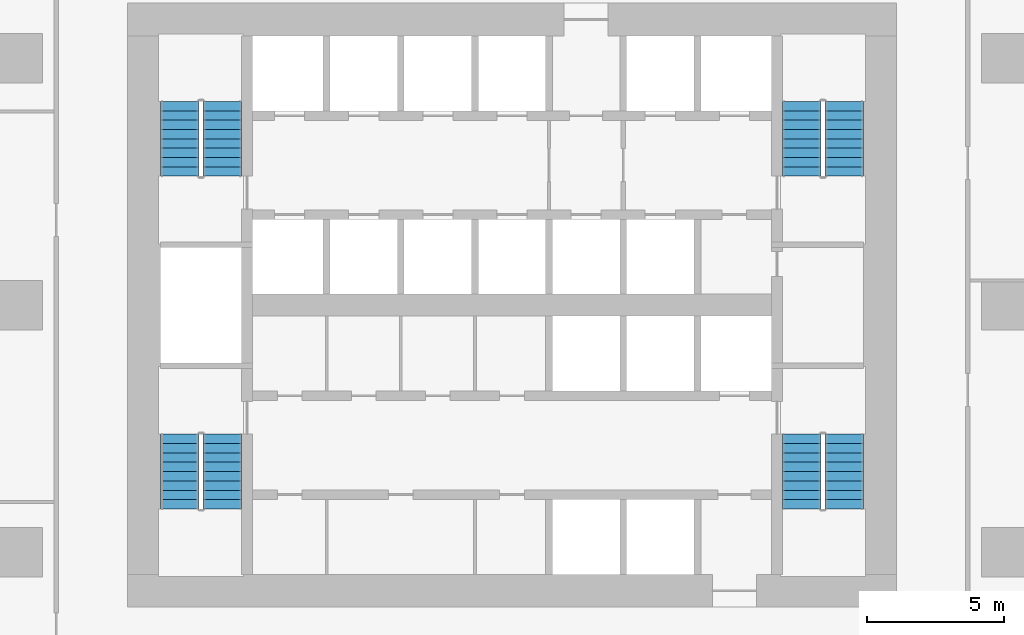
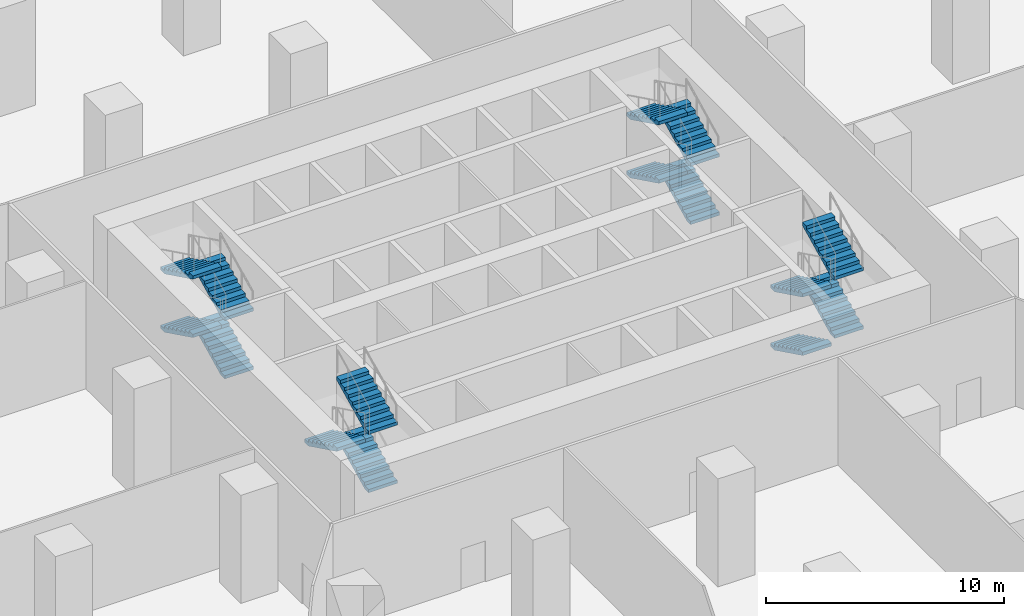
# One storey, part 13 of 15: 15 stair flights, 4 elements without a shape of their own.
"""IFC4 building model written with IfcOpenShell, lengths in metres."""

from ifc_helpers import new_model, si_unit, direction, frame, origin, place, context, subcontext, project, spatial, polyline, outline, extrude, material, layer, layer_set, type_object, element, aggregate, save


model = new_model("IFC4")

# Units and contexts
model_context = context("Model", 3, precision=1e-05, world=origin(), true_north=direction((0.0, 1.0)))
body_context = subcontext(model_context, "Body", "Model", "MODEL_VIEW")
ifc_project = project(units=[si_unit("LENGTHUNIT", "METRE"), si_unit("AREAUNIT", "SQUARE_METRE"), si_unit("VOLUMEUNIT", "CUBIC_METRE"), si_unit("PLANEANGLEUNIT", "RADIAN"), si_unit("MASSUNIT", "GRAM", prefix="KILO")], contexts=[model_context])

# Site, building, storey
site_placement = place(None, origin())
site = spatial("IfcSite", under=ifc_project, at=site_placement, CompositionType="ELEMENT")
building_placement = place(site_placement, origin())
building = spatial("IfcBuilding", under=site, at=building_placement, Name="Dongbaek Canopy Tower", CompositionType="ELEMENT")
storey_placement = place(building_placement, frame((0.0, 0.0, 27.0)))
storey = spatial("IfcBuildingStorey", under=building, at=storey_placement, Name="L03", CompositionType="ELEMENT", Elevation=27.0)

# Stair, stair flights
ifc_material_1 = material(Name="Concrete C40/50", Category="concrete")
stair_type = type_object("IfcStairType", Name="Core exit stair", PredefinedType="HALF_TURN_STAIR", material=ifc_material_1)
stair_1_placement = place(storey_placement, origin())
stair_1 = element("IfcStair", 1, at=stair_1_placement, inside=storey, type_object=stair_type, Name="L03 exit stair A", PredefinedType="HALF_TURN_STAIR")
ifc_material_2 = material(Name="Concrete C40/50", Category="concrete")
ifc_layer = layer(ifc_material_2, 0.14990234375)
ifc_layer_set = layer_set([ifc_layer], Name="Core stair flight 150 waist")
stair_flight_type = type_object("IfcStairFlightType", Name="Core stair flight 150 waist", PredefinedType="STRAIGHT", material=ifc_layer_set)
stair_flight_1_placement = place(storey_placement, frame((12.10009765625, 4.699951171875, 0.0), z_axis=(0.0, 0.0, 1.0), x_axis=(0.0, 1.0, 0.0)))
stair_flight_1 = element("IfcStairFlight", 2, at=stair_flight_1_placement, type_object=stair_flight_type, Name="ST-A flight 1", NumberOfRisers=9, NumberOfTreads=8, PredefinedType="STRAIGHT", RiserHeight=0.166666667, TreadLength=0.34, context=body_context, shape_type="SweptSolid", body=[
    extrude(outline(polyline([(0.0, 0.0), (0.0, 0.166748046875), (0.340087890625, 0.166748046875), (0.340087890625, 0.333251953125), (0.679931640625, 0.333251953125), (0.679931640625, 0.5), (1.02001953125, 0.5), (1.02001953125, 0.666748046875), (1.360107421875, 0.666748046875), (1.360107421875, 0.833251953125), (1.699951171875, 0.833251953125), (1.699951171875, 1.0), (2.0400390625, 1.0), (2.0400390625, 1.166748046875), (2.3798828125, 1.166748046875), (2.3798828125, 1.333251953125), (2.719970703125, 1.333251953125), (2.719970703125, 1.5), (2.719970703125, 1.16650390625), (0.340576171875, 0.0), (0.0, 0.0)])), frame((0.0, 0.699951171875, 0.0), z_axis=(0.0, -1.0, 0.0), x_axis=(1.0, 0.0, 0.0)), (0.0, 0.0, 1.0), 1.39990234375),
])
stair_flight_2_placement = place(storey_placement, frame((10.550048828125, 7.419921875, 1.5), z_axis=(0.0, 0.0, 1.0), x_axis=(0.0, -1.0, 0.0)))
stair_flight_2 = element("IfcStairFlight", 3, at=stair_flight_2_placement, type_object=stair_flight_type, Name="ST-A flight 2", NumberOfRisers=9, NumberOfTreads=8, PredefinedType="STRAIGHT", RiserHeight=0.166666667, TreadLength=0.34, context=body_context, shape_type="SweptSolid", body=[
    extrude(outline(polyline([(0.0, 0.0), (0.0, 0.166748046875), (0.340087890625, 0.166748046875), (0.340087890625, 0.333251953125), (0.679931640625, 0.333251953125), (0.679931640625, 0.5), (1.02001953125, 0.5), (1.02001953125, 0.666748046875), (1.360107421875, 0.666748046875), (1.360107421875, 0.833251953125), (1.699951171875, 0.833251953125), (1.699951171875, 1.0), (2.0400390625, 1.0), (2.0400390625, 1.166748046875), (2.3798828125, 1.166748046875), (2.3798828125, 1.333251953125), (2.719970703125, 1.333251953125), (2.719970703125, 1.5), (2.719970703125, 1.16650390625), (0.340576171875, 0.0), (0.0, 0.0)])), frame((0.0, 0.699951171875, 0.0), z_axis=(0.0, -1.0, 0.0), x_axis=(1.0, 0.0, 0.0)), (0.0, 0.0, 1.0), 1.39990234375),
])
stair_flight_3_placement = place(storey_placement, frame((12.10009765625, 4.699951171875, 3.0), z_axis=(0.0, 0.0, 1.0), x_axis=(0.0, 1.0, 0.0)))
stair_flight_3 = element("IfcStairFlight", 4, at=stair_flight_3_placement, type_object=stair_flight_type, Name="ST-A flight 3", NumberOfRisers=9, NumberOfTreads=8, PredefinedType="STRAIGHT", RiserHeight=0.166666667, TreadLength=0.34, context=body_context, shape_type="SweptSolid", body=[
    extrude(outline(polyline([(0.0, 0.0), (0.0, 0.166748046875), (0.340087890625, 0.166748046875), (0.340087890625, 0.333251953125), (0.679931640625, 0.333251953125), (0.679931640625, 0.5), (1.02001953125, 0.5), (1.02001953125, 0.666748046875), (1.360107421875, 0.666748046875), (1.360107421875, 0.833251953125), (1.699951171875, 0.833251953125), (1.699951171875, 1.0), (2.0400390625, 1.0), (2.0400390625, 1.166748046875), (2.3798828125, 1.166748046875), (2.3798828125, 1.333251953125), (2.719970703125, 1.333251953125), (2.719970703125, 1.5), (2.719970703125, 1.16650390625), (0.340576171875, 0.0), (0.0, 0.0)])), frame((0.0, 0.699951171875, 0.0), z_axis=(0.0, -1.0, 0.0), x_axis=(1.0, 0.0, 0.0)), (0.0, 0.0, 1.0), 1.39990234375),
])
stair_flight_4_placement = place(storey_placement, frame((10.550048828125, 7.419921875, 4.5), z_axis=(0.0, 0.0, 1.0), x_axis=(0.0, -1.0, 0.0)))
stair_flight_4 = element("IfcStairFlight", 5, at=stair_flight_4_placement, type_object=stair_flight_type, Name="ST-A flight 4", NumberOfRisers=9, NumberOfTreads=8, PredefinedType="STRAIGHT", RiserHeight=0.166666667, TreadLength=0.34, context=body_context, shape_type="SweptSolid", body=[
    extrude(outline(polyline([(0.0, 0.0), (0.0, 0.166748046875), (0.340087890625, 0.166748046875), (0.340087890625, 0.333251953125), (0.679931640625, 0.333251953125), (0.679931640625, 0.5), (1.02001953125, 0.5), (1.02001953125, 0.666748046875), (1.360107421875, 0.666748046875), (1.360107421875, 0.833251953125), (1.699951171875, 0.833251953125), (1.699951171875, 1.0), (2.0400390625, 1.0), (2.0400390625, 1.166748046875), (2.3798828125, 1.166748046875), (2.3798828125, 1.333251953125), (2.719970703125, 1.333251953125), (2.719970703125, 1.5), (2.719970703125, 1.16650390625), (0.340576171875, 0.0), (0.0, 0.0)])), frame((0.0, 0.699951171875, 0.0), z_axis=(0.0, -1.0, 0.0), x_axis=(1.0, 0.0, 0.0)), (0.0, 0.0, 1.0), 1.39990234375),
])
aggregate(stair_1, [stair_flight_1, stair_flight_2, stair_flight_3, stair_flight_4])

stair_2_placement = place(storey_placement, origin())
stair_2 = element("IfcStair", 6, at=stair_2_placement, inside=storey, type_object=stair_type, Name="L03 exit stair C", PredefinedType="HALF_TURN_STAIR")
stair_flight_5_placement = place(storey_placement, frame((-10.550048828125, 4.699951171875, 0.0), z_axis=(0.0, 0.0, 1.0), x_axis=(0.0, 1.0, 0.0)))
stair_flight_5 = element("IfcStairFlight", 7, at=stair_flight_5_placement, type_object=stair_flight_type, Name="ST-C flight 1", NumberOfRisers=9, NumberOfTreads=8, PredefinedType="STRAIGHT", RiserHeight=0.166666667, TreadLength=0.34, context=body_context, shape_type="SweptSolid", body=[
    extrude(outline(polyline([(0.0, 0.0), (0.0, 0.166748046875), (0.340087890625, 0.166748046875), (0.340087890625, 0.333251953125), (0.679931640625, 0.333251953125), (0.679931640625, 0.5), (1.02001953125, 0.5), (1.02001953125, 0.666748046875), (1.360107421875, 0.666748046875), (1.360107421875, 0.833251953125), (1.699951171875, 0.833251953125), (1.699951171875, 1.0), (2.0400390625, 1.0), (2.0400390625, 1.166748046875), (2.3798828125, 1.166748046875), (2.3798828125, 1.333251953125), (2.719970703125, 1.333251953125), (2.719970703125, 1.5), (2.719970703125, 1.16650390625), (0.340576171875, 0.0), (0.0, 0.0)])), frame((0.0, 0.699951171875, 0.0), z_axis=(0.0, -1.0, 0.0), x_axis=(1.0, 0.0, 0.0)), (0.0, 0.0, 1.0), 1.39990234375),
])
stair_flight_6_placement = place(storey_placement, frame((-12.10009765625, 7.419921875, 1.5), z_axis=(0.0, 0.0, 1.0), x_axis=(0.0, -1.0, 0.0)))
stair_flight_6 = element("IfcStairFlight", 8, at=stair_flight_6_placement, type_object=stair_flight_type, Name="ST-C flight 2", NumberOfRisers=9, NumberOfTreads=8, PredefinedType="STRAIGHT", RiserHeight=0.166666667, TreadLength=0.34, context=body_context, shape_type="SweptSolid", body=[
    extrude(outline(polyline([(0.0, 0.0), (0.0, 0.166748046875), (0.340087890625, 0.166748046875), (0.340087890625, 0.333251953125), (0.679931640625, 0.333251953125), (0.679931640625, 0.5), (1.02001953125, 0.5), (1.02001953125, 0.666748046875), (1.360107421875, 0.666748046875), (1.360107421875, 0.833251953125), (1.699951171875, 0.833251953125), (1.699951171875, 1.0), (2.0400390625, 1.0), (2.0400390625, 1.166748046875), (2.3798828125, 1.166748046875), (2.3798828125, 1.333251953125), (2.719970703125, 1.333251953125), (2.719970703125, 1.5), (2.719970703125, 1.16650390625), (0.340576171875, 0.0), (0.0, 0.0)])), frame((0.0, 0.699951171875, 0.0), z_axis=(0.0, -1.0, 0.0), x_axis=(1.0, 0.0, 0.0)), (0.0, 0.0, 1.0), 1.39990234375),
])
stair_flight_7_placement = place(storey_placement, frame((-10.550048828125, 4.699951171875, 3.0), z_axis=(0.0, 0.0, 1.0), x_axis=(0.0, 1.0, 0.0)))
stair_flight_7 = element("IfcStairFlight", 9, at=stair_flight_7_placement, type_object=stair_flight_type, Name="ST-C flight 3", NumberOfRisers=9, NumberOfTreads=8, PredefinedType="STRAIGHT", RiserHeight=0.166666667, TreadLength=0.34, context=body_context, shape_type="SweptSolid", body=[
    extrude(outline(polyline([(0.0, 0.0), (0.0, 0.166748046875), (0.340087890625, 0.166748046875), (0.340087890625, 0.333251953125), (0.679931640625, 0.333251953125), (0.679931640625, 0.5), (1.02001953125, 0.5), (1.02001953125, 0.666748046875), (1.360107421875, 0.666748046875), (1.360107421875, 0.833251953125), (1.699951171875, 0.833251953125), (1.699951171875, 1.0), (2.0400390625, 1.0), (2.0400390625, 1.166748046875), (2.3798828125, 1.166748046875), (2.3798828125, 1.333251953125), (2.719970703125, 1.333251953125), (2.719970703125, 1.5), (2.719970703125, 1.16650390625), (0.340576171875, 0.0), (0.0, 0.0)])), frame((0.0, 0.699951171875, 0.0), z_axis=(0.0, -1.0, 0.0), x_axis=(1.0, 0.0, 0.0)), (0.0, 0.0, 1.0), 1.39990234375),
])
stair_flight_8_placement = place(storey_placement, frame((-12.10009765625, 7.419921875, 4.5), z_axis=(0.0, 0.0, 1.0), x_axis=(0.0, -1.0, 0.0)))
stair_flight_8 = element("IfcStairFlight", 10, at=stair_flight_8_placement, type_object=stair_flight_type, Name="ST-C flight 4", NumberOfRisers=9, NumberOfTreads=8, PredefinedType="STRAIGHT", RiserHeight=0.166666667, TreadLength=0.34, context=body_context, shape_type="SweptSolid", body=[
    extrude(outline(polyline([(0.0, 0.0), (0.0, 0.166748046875), (0.340087890625, 0.166748046875), (0.340087890625, 0.333251953125), (0.679931640625, 0.333251953125), (0.679931640625, 0.5), (1.02001953125, 0.5), (1.02001953125, 0.666748046875), (1.360107421875, 0.666748046875), (1.360107421875, 0.833251953125), (1.699951171875, 0.833251953125), (1.699951171875, 1.0), (2.0400390625, 1.0), (2.0400390625, 1.166748046875), (2.3798828125, 1.166748046875), (2.3798828125, 1.333251953125), (2.719970703125, 1.333251953125), (2.719970703125, 1.5), (2.719970703125, 1.16650390625), (0.340576171875, 0.0), (0.0, 0.0)])), frame((0.0, 0.699951171875, 0.0), z_axis=(0.0, -1.0, 0.0), x_axis=(1.0, 0.0, 0.0)), (0.0, 0.0, 1.0), 1.39990234375),
])
aggregate(stair_2, [stair_flight_5, stair_flight_6, stair_flight_7, stair_flight_8])

stair_3_placement = place(storey_placement, origin())
stair_3 = element("IfcStair", 11, at=stair_3_placement, inside=storey, type_object=stair_type, Name="L03 exit stair B", PredefinedType="HALF_TURN_STAIR")
stair_flight_9_placement = place(storey_placement, frame((10.550048828125, -4.699951171875, 0.0), z_axis=(0.0, 0.0, 1.0), x_axis=(0.0, -1.0, 0.0)))
stair_flight_9 = element("IfcStairFlight", 12, at=stair_flight_9_placement, type_object=stair_flight_type, Name="ST-B flight 1", NumberOfRisers=9, NumberOfTreads=8, PredefinedType="STRAIGHT", RiserHeight=0.166666667, TreadLength=0.34, context=body_context, shape_type="SweptSolid", body=[
    extrude(outline(polyline([(0.0, 0.0), (0.0, 0.166748046875), (0.340087890625, 0.166748046875), (0.340087890625, 0.333251953125), (0.679931640625, 0.333251953125), (0.679931640625, 0.5), (1.02001953125, 0.5), (1.02001953125, 0.666748046875), (1.360107421875, 0.666748046875), (1.360107421875, 0.833251953125), (1.699951171875, 0.833251953125), (1.699951171875, 1.0), (2.0400390625, 1.0), (2.0400390625, 1.166748046875), (2.3798828125, 1.166748046875), (2.3798828125, 1.333251953125), (2.719970703125, 1.333251953125), (2.719970703125, 1.5), (2.719970703125, 1.16650390625), (0.340576171875, 0.0), (0.0, 0.0)])), frame((0.0, 0.699951171875, 0.0), z_axis=(0.0, -1.0, 0.0), x_axis=(1.0, 0.0, 0.0)), (0.0, 0.0, 1.0), 1.39990234375),
])
stair_flight_10_placement = place(storey_placement, frame((12.10009765625, -7.419921875, 1.5), z_axis=(0.0, 0.0, 1.0), x_axis=(0.0, 1.0, 0.0)))
stair_flight_10 = element("IfcStairFlight", 13, at=stair_flight_10_placement, type_object=stair_flight_type, Name="ST-B flight 2", NumberOfRisers=9, NumberOfTreads=8, PredefinedType="STRAIGHT", RiserHeight=0.166666667, TreadLength=0.34, context=body_context, shape_type="SweptSolid", body=[
    extrude(outline(polyline([(0.0, 0.0), (0.0, 0.166748046875), (0.340087890625, 0.166748046875), (0.340087890625, 0.333251953125), (0.679931640625, 0.333251953125), (0.679931640625, 0.5), (1.02001953125, 0.5), (1.02001953125, 0.666748046875), (1.360107421875, 0.666748046875), (1.360107421875, 0.833251953125), (1.699951171875, 0.833251953125), (1.699951171875, 1.0), (2.0400390625, 1.0), (2.0400390625, 1.166748046875), (2.3798828125, 1.166748046875), (2.3798828125, 1.333251953125), (2.719970703125, 1.333251953125), (2.719970703125, 1.5), (2.719970703125, 1.16650390625), (0.340576171875, 0.0), (0.0, 0.0)])), frame((0.0, 0.699951171875, 0.0), z_axis=(0.0, -1.0, 0.0), x_axis=(1.0, 0.0, 0.0)), (0.0, 0.0, 1.0), 1.39990234375),
])
stair_flight_11_placement = place(storey_placement, frame((10.550048828125, -4.699951171875, 3.0), z_axis=(0.0, 0.0, 1.0), x_axis=(0.0, -1.0, 0.0)))
stair_flight_11 = element("IfcStairFlight", 14, at=stair_flight_11_placement, type_object=stair_flight_type, Name="ST-B flight 3", NumberOfRisers=9, NumberOfTreads=8, PredefinedType="STRAIGHT", RiserHeight=0.166666667, TreadLength=0.34, context=body_context, shape_type="SweptSolid", body=[
    extrude(outline(polyline([(0.0, 0.0), (0.0, 0.166748046875), (0.340087890625, 0.166748046875), (0.340087890625, 0.333251953125), (0.679931640625, 0.333251953125), (0.679931640625, 0.5), (1.02001953125, 0.5), (1.02001953125, 0.666748046875), (1.360107421875, 0.666748046875), (1.360107421875, 0.833251953125), (1.699951171875, 0.833251953125), (1.699951171875, 1.0), (2.0400390625, 1.0), (2.0400390625, 1.166748046875), (2.3798828125, 1.166748046875), (2.3798828125, 1.333251953125), (2.719970703125, 1.333251953125), (2.719970703125, 1.5), (2.719970703125, 1.16650390625), (0.340576171875, 0.0), (0.0, 0.0)])), frame((0.0, 0.699951171875, 0.0), z_axis=(0.0, -1.0, 0.0), x_axis=(1.0, 0.0, 0.0)), (0.0, 0.0, 1.0), 1.39990234375),
])
stair_flight_12_placement = place(storey_placement, frame((12.10009765625, -7.419921875, 4.5), z_axis=(0.0, 0.0, 1.0), x_axis=(0.0, 1.0, 0.0)))
stair_flight_12 = element("IfcStairFlight", 15, at=stair_flight_12_placement, type_object=stair_flight_type, Name="ST-B flight 4", NumberOfRisers=9, NumberOfTreads=8, PredefinedType="STRAIGHT", RiserHeight=0.166666667, TreadLength=0.34, context=body_context, shape_type="SweptSolid", body=[
    extrude(outline(polyline([(0.0, 0.0), (0.0, 0.166748046875), (0.340087890625, 0.166748046875), (0.340087890625, 0.333251953125), (0.679931640625, 0.333251953125), (0.679931640625, 0.5), (1.02001953125, 0.5), (1.02001953125, 0.666748046875), (1.360107421875, 0.666748046875), (1.360107421875, 0.833251953125), (1.699951171875, 0.833251953125), (1.699951171875, 1.0), (2.0400390625, 1.0), (2.0400390625, 1.166748046875), (2.3798828125, 1.166748046875), (2.3798828125, 1.333251953125), (2.719970703125, 1.333251953125), (2.719970703125, 1.5), (2.719970703125, 1.16650390625), (0.340576171875, 0.0), (0.0, 0.0)])), frame((0.0, 0.699951171875, 0.0), z_axis=(0.0, -1.0, 0.0), x_axis=(1.0, 0.0, 0.0)), (0.0, 0.0, 1.0), 1.39990234375),
])
aggregate(stair_3, [stair_flight_9, stair_flight_10, stair_flight_11, stair_flight_12])

stair_4_placement = place(storey_placement, origin())
stair_4 = element("IfcStair", 16, at=stair_4_placement, inside=storey, type_object=stair_type, Name="L03 exit stair D", PredefinedType="HALF_TURN_STAIR")
stair_flight_13_placement = place(storey_placement, frame((-10.550048828125, -7.419921875, 1.5), z_axis=(0.0, 0.0, 1.0), x_axis=(0.0, 1.0, 0.0)))
stair_flight_13 = element("IfcStairFlight", 17, at=stair_flight_13_placement, type_object=stair_flight_type, Name="ST-D flight 2", NumberOfRisers=9, NumberOfTreads=8, PredefinedType="STRAIGHT", RiserHeight=0.166666667, TreadLength=0.34, context=body_context, shape_type="SweptSolid", body=[
    extrude(outline(polyline([(0.0, 0.0), (0.0, 0.166748046875), (0.340087890625, 0.166748046875), (0.340087890625, 0.333251953125), (0.679931640625, 0.333251953125), (0.679931640625, 0.5), (1.02001953125, 0.5), (1.02001953125, 0.666748046875), (1.360107421875, 0.666748046875), (1.360107421875, 0.833251953125), (1.699951171875, 0.833251953125), (1.699951171875, 1.0), (2.0400390625, 1.0), (2.0400390625, 1.166748046875), (2.3798828125, 1.166748046875), (2.3798828125, 1.333251953125), (2.719970703125, 1.333251953125), (2.719970703125, 1.5), (2.719970703125, 1.16650390625), (0.340576171875, 0.0), (0.0, 0.0)])), frame((0.0, 0.699951171875, 0.0), z_axis=(0.0, -1.0, 0.0), x_axis=(1.0, 0.0, 0.0)), (0.0, 0.0, 1.0), 1.39990234375),
])
stair_flight_14_placement = place(storey_placement, frame((-12.10009765625, -4.699951171875, 3.0), z_axis=(0.0, 0.0, 1.0), x_axis=(0.0, -1.0, 0.0)))
stair_flight_14 = element("IfcStairFlight", 18, at=stair_flight_14_placement, type_object=stair_flight_type, Name="ST-D flight 3", NumberOfRisers=9, NumberOfTreads=8, PredefinedType="STRAIGHT", RiserHeight=0.166666667, TreadLength=0.34, context=body_context, shape_type="SweptSolid", body=[
    extrude(outline(polyline([(0.0, 0.0), (0.0, 0.166748046875), (0.340087890625, 0.166748046875), (0.340087890625, 0.333251953125), (0.679931640625, 0.333251953125), (0.679931640625, 0.5), (1.02001953125, 0.5), (1.02001953125, 0.666748046875), (1.360107421875, 0.666748046875), (1.360107421875, 0.833251953125), (1.699951171875, 0.833251953125), (1.699951171875, 1.0), (2.0400390625, 1.0), (2.0400390625, 1.166748046875), (2.3798828125, 1.166748046875), (2.3798828125, 1.333251953125), (2.719970703125, 1.333251953125), (2.719970703125, 1.5), (2.719970703125, 1.16650390625), (0.340576171875, 0.0), (0.0, 0.0)])), frame((0.0, 0.699951171875, 0.0), z_axis=(0.0, -1.0, 0.0), x_axis=(1.0, 0.0, 0.0)), (0.0, 0.0, 1.0), 1.39990234375),
])
stair_flight_15_placement = place(storey_placement, frame((-10.550048828125, -7.419921875, 4.5), z_axis=(0.0, 0.0, 1.0), x_axis=(0.0, 1.0, 0.0)))
stair_flight_15 = element("IfcStairFlight", 19, at=stair_flight_15_placement, type_object=stair_flight_type, Name="ST-D flight 4", NumberOfRisers=9, NumberOfTreads=8, PredefinedType="STRAIGHT", RiserHeight=0.166666667, TreadLength=0.34, context=body_context, shape_type="SweptSolid", body=[
    extrude(outline(polyline([(0.0, 0.0), (0.0, 0.166748046875), (0.340087890625, 0.166748046875), (0.340087890625, 0.333251953125), (0.679931640625, 0.333251953125), (0.679931640625, 0.5), (1.02001953125, 0.5), (1.02001953125, 0.666748046875), (1.360107421875, 0.666748046875), (1.360107421875, 0.833251953125), (1.699951171875, 0.833251953125), (1.699951171875, 1.0), (2.0400390625, 1.0), (2.0400390625, 1.166748046875), (2.3798828125, 1.166748046875), (2.3798828125, 1.333251953125), (2.719970703125, 1.333251953125), (2.719970703125, 1.5), (2.719970703125, 1.16650390625), (0.340576171875, 0.0), (0.0, 0.0)])), frame((0.0, 0.699951171875, 0.0), z_axis=(0.0, -1.0, 0.0), x_axis=(1.0, 0.0, 0.0)), (0.0, 0.0, 1.0), 1.39990234375),
])
aggregate(stair_4, [stair_flight_13, stair_flight_14, stair_flight_15])

save(model, "model.ifc")
